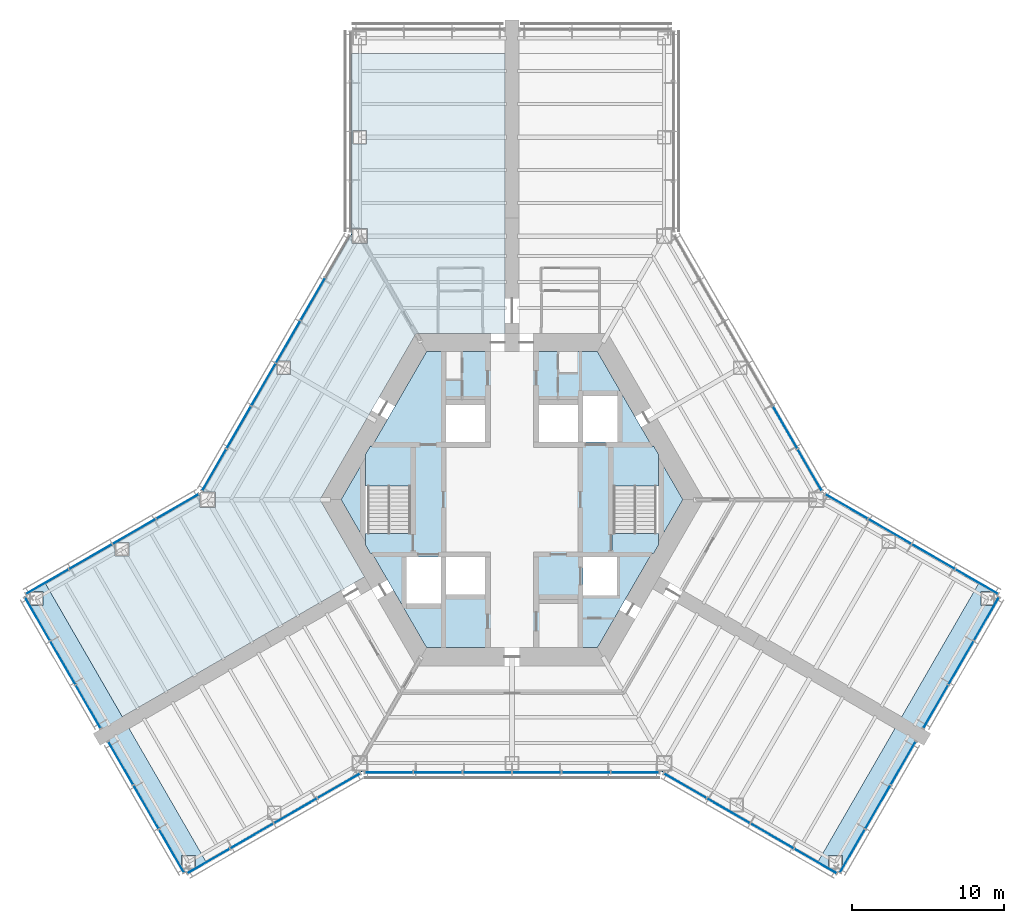
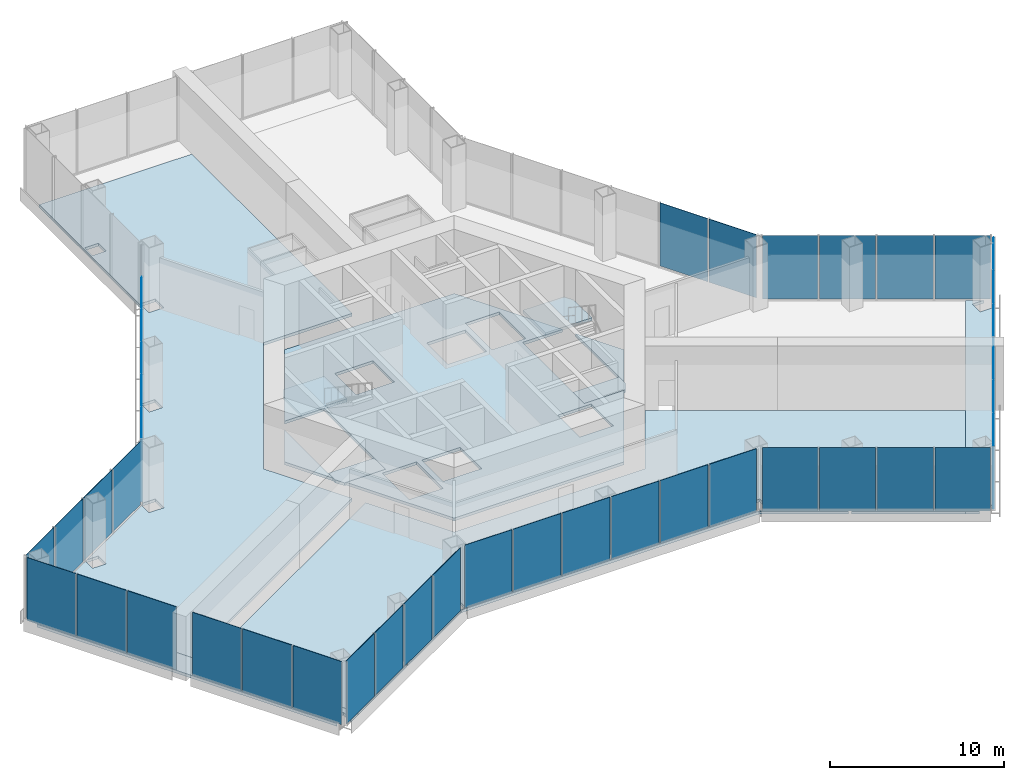
# One storey, part 7 of 13: 41 plates, 11 slabs, 13 elements without a shape of their own.
"""IFC4 building model written with IfcOpenShell, lengths in metres."""

from ifc_helpers import new_model, si_unit, direction, frame, origin, origin_2d, place, context, subcontext, project, spatial, polyline, rectangle, outline, extrude, material, layer, layer_set, type_object, element, aggregate, save


model = new_model("IFC4")

# Units and contexts
model_context = context("Model", 3, precision=1e-05, world=origin(), true_north=direction((0.0, 1.0)))
body_context = subcontext(model_context, "Body", "Model", "MODEL_VIEW")
ifc_project = project(units=[si_unit("LENGTHUNIT", "METRE"), si_unit("AREAUNIT", "SQUARE_METRE"), si_unit("VOLUMEUNIT", "CUBIC_METRE"), si_unit("PLANEANGLEUNIT", "RADIAN"), si_unit("MASSUNIT", "GRAM", prefix="KILO")], contexts=[model_context])

# Site, building, storey
site_placement = place(None, origin())
site = spatial("IfcSite", under=ifc_project, at=site_placement, CompositionType="ELEMENT")
building_placement = place(site_placement, origin())
building = spatial("IfcBuilding", under=site, at=building_placement, Name="Kasaneha Research Tower", CompositionType="ELEMENT")
storey_placement = place(building_placement, frame((0.0, 0.0, 5.5)))
storey = spatial("IfcBuildingStorey", under=building, at=storey_placement, Name="L02", CompositionType="ELEMENT", Elevation=5.5)

# Curtain wall, plates
ifc_material_1 = material(Name="Glass and aluminium", Category="aluminium")
curtain_wall_type = type_object("IfcCurtainWallType", Name="Entrance hall curtain wall", PredefinedType="USERDEFINED", material=ifc_material_1)
curtain_wall_1_placement = place(storey_placement, origin())
curtain_wall_1 = element("IfcCurtainWall", 1, at=curtain_wall_1_placement, inside=storey, type_object=curtain_wall_type, Name="CW-H L02 run 01a", ObjectType="UNITISED CURTAIN WALL", PredefinedType="USERDEFINED")
ifc_material_2 = material(Name="Laminated double glazing", Category="glass")
ifc_layer_1 = layer(ifc_material_2, 0.031982421875)
ifc_layer_set_1 = layer_set([ifc_layer_1], Name="CW-H glazed panel")
plate_type = type_object("IfcPlateType", Name="CW-H glazed panel", PredefinedType="CURTAIN_PANEL", material=ifc_layer_set_1)
plate_1_placement = place(storey_placement, frame((-19.94091796875, -23.752685546875, 0.080078125), z_axis=(0.0, 0.0, 1.0), x_axis=(0.866025411464, 0.499999986699, 0.0)))
plate_1 = element("IfcPlate", 2, at=plate_1_placement, type_object=plate_type, Name="CW-H panel 1", PredefinedType="CURTAIN_PANEL", context=body_context, shape_type="SweptSolid", body=[
    extrude(rectangle(XDim=3.189697265625, YDim=0.031982421875, at=origin_2d()), origin(), (0.0, 0.0, 1.0), 4.419921875),
])
plate_2_placement = place(storey_placement, frame((-17.091796875, -22.107666015625, 0.080078125), z_axis=(0.0, 0.0, 1.0), x_axis=(0.866025411464, 0.499999986699, 0.0)))
plate_2 = element("IfcPlate", 3, at=plate_2_placement, type_object=plate_type, Name="CW-H panel 2", PredefinedType="CURTAIN_PANEL", context=body_context, shape_type="SweptSolid", body=[
    extrude(rectangle(XDim=3.229736328125, YDim=0.031982421875, at=origin_2d()), origin(), (0.0, 0.0, 1.0), 4.419921875),
])
plate_3_placement = place(storey_placement, frame((-14.225341796875, -20.452880859375, 0.080078125), z_axis=(0.0, 0.0, 1.0), x_axis=(0.866025411464, 0.499999986699, 0.0)))
plate_3 = element("IfcPlate", 4, at=plate_3_placement, type_object=plate_type, Name="CW-H panel 3", PredefinedType="CURTAIN_PANEL", context=body_context, shape_type="SweptSolid", body=[
    extrude(rectangle(XDim=3.229736328125, YDim=0.031982421875, at=origin_2d()), origin(), (0.0, 0.0, 1.0), 4.419921875),
])
plate_4_placement = place(storey_placement, frame((-11.376220703125, -18.807861328125, 0.080078125), z_axis=(0.0, 0.0, 1.0), x_axis=(0.866025411464, 0.499999986699, 0.0)))
plate_4 = element("IfcPlate", 5, at=plate_4_placement, type_object=plate_type, Name="CW-H panel 4", PredefinedType="CURTAIN_PANEL", context=body_context, shape_type="SweptSolid", body=[
    extrude(rectangle(XDim=3.189697265625, YDim=0.031982421875, at=origin_2d()), origin(), (0.0, 0.0, 1.0), 4.419921875),
])
aggregate(curtain_wall_1, [plate_1, plate_2, plate_3, plate_4])

curtain_wall_2_placement = place(storey_placement, origin())
curtain_wall_2 = element("IfcCurtainWall", 6, at=curtain_wall_2_placement, inside=storey, type_object=curtain_wall_type, Name="CW-H L02 run 02a", ObjectType="UNITISED CURTAIN WALL", PredefinedType="USERDEFINED")
plate_5_placement = place(storey_placement, frame((-8.095947265625, -17.92041015625, 0.080078125), z_axis=(0.0, 0.0, 1.0), x_axis=(1.0, 0.0, 0.0)))
plate_5 = element("IfcPlate", 7, at=plate_5_placement, type_object=plate_type, Name="CW-H panel 1", PredefinedType="CURTAIN_PANEL", context=body_context, shape_type="SweptSolid", body=[
    extrude(rectangle(XDim=3.12646484375, YDim=0.031982421875, at=origin_2d()), origin(), (0.0, 0.0, 1.0), 4.419921875),
])
plate_6_placement = place(storey_placement, frame((-4.86962890625, -17.92041015625, 0.080078125), z_axis=(0.0, 0.0, 1.0), x_axis=(1.0, 0.0, 0.0)))
plate_6 = element("IfcPlate", 8, at=plate_6_placement, type_object=plate_type, Name="CW-H panel 2", PredefinedType="CURTAIN_PANEL", context=body_context, shape_type="SweptSolid", body=[
    extrude(rectangle(XDim=3.16650390625, YDim=0.031982421875, at=origin_2d()), origin(), (0.0, 0.0, 1.0), 4.419921875),
])
plate_7_placement = place(storey_placement, frame((-1.623291015625, -17.92041015625, 0.080078125), z_axis=(0.0, 0.0, 1.0), x_axis=(1.0, 0.0, 0.0)))
plate_7 = element("IfcPlate", 9, at=plate_7_placement, type_object=plate_type, Name="CW-H panel 3", PredefinedType="CURTAIN_PANEL", context=body_context, shape_type="SweptSolid", body=[
    extrude(rectangle(XDim=3.16650390625, YDim=0.031982421875, at=origin_2d()), origin(), (0.0, 0.0, 1.0), 4.419921875),
])
plate_8_placement = place(storey_placement, frame((1.623291015625, -17.92041015625, 0.080078125), z_axis=(0.0, 0.0, 1.0), x_axis=(1.0, 0.0, 0.0)))
plate_8 = element("IfcPlate", 10, at=plate_8_placement, type_object=plate_type, Name="CW-H panel 4", PredefinedType="CURTAIN_PANEL", context=body_context, shape_type="SweptSolid", body=[
    extrude(rectangle(XDim=3.16650390625, YDim=0.031982421875, at=origin_2d()), origin(), (0.0, 0.0, 1.0), 4.419921875),
])
plate_9_placement = place(storey_placement, frame((4.86962890625, -17.92041015625, 0.080078125), z_axis=(0.0, 0.0, 1.0), x_axis=(1.0, 0.0, 0.0)))
plate_9 = element("IfcPlate", 11, at=plate_9_placement, type_object=plate_type, Name="CW-H panel 5", PredefinedType="CURTAIN_PANEL", context=body_context, shape_type="SweptSolid", body=[
    extrude(rectangle(XDim=3.16650390625, YDim=0.031982421875, at=origin_2d()), origin(), (0.0, 0.0, 1.0), 4.419921875),
])
plate_10_placement = place(storey_placement, frame((8.095947265625, -17.92041015625, 0.080078125), z_axis=(0.0, 0.0, 1.0), x_axis=(1.0, 0.0, 0.0)))
plate_10 = element("IfcPlate", 12, at=plate_10_placement, type_object=plate_type, Name="CW-H panel 6", PredefinedType="CURTAIN_PANEL", context=body_context, shape_type="SweptSolid", body=[
    extrude(rectangle(XDim=3.12646484375, YDim=0.031982421875, at=origin_2d()), origin(), (0.0, 0.0, 1.0), 4.419921875),
])
aggregate(curtain_wall_2, [plate_5, plate_6, plate_7, plate_8, plate_9, plate_10])

curtain_wall_3_placement = place(storey_placement, origin())
curtain_wall_3 = element("IfcCurtainWall", 13, at=curtain_wall_3_placement, inside=storey, type_object=curtain_wall_type, Name="CW-H L02 run 03a", ObjectType="UNITISED CURTAIN WALL", PredefinedType="USERDEFINED")
plate_11_placement = place(storey_placement, frame((11.376220703125, -18.807861328125, 0.080078125), z_axis=(0.0, 0.0, 1.0), x_axis=(0.866025411464, -0.499999986699, 0.0)))
plate_11 = element("IfcPlate", 14, at=plate_11_placement, type_object=plate_type, Name="CW-H panel 1", PredefinedType="CURTAIN_PANEL", context=body_context, shape_type="SweptSolid", body=[
    extrude(rectangle(XDim=3.189697265625, YDim=0.031982421875, at=origin_2d()), origin(), (0.0, 0.0, 1.0), 4.419921875),
])
plate_12_placement = place(storey_placement, frame((14.225341796875, -20.452880859375, 0.080078125), z_axis=(0.0, 0.0, 1.0), x_axis=(0.866025411464, -0.499999986699, 0.0)))
plate_12 = element("IfcPlate", 15, at=plate_12_placement, type_object=plate_type, Name="CW-H panel 2", PredefinedType="CURTAIN_PANEL", context=body_context, shape_type="SweptSolid", body=[
    extrude(rectangle(XDim=3.229736328125, YDim=0.031982421875, at=origin_2d()), origin(), (0.0, 0.0, 1.0), 4.419921875),
])
plate_13_placement = place(storey_placement, frame((17.091796875, -22.107666015625, 0.080078125), z_axis=(0.0, 0.0, 1.0), x_axis=(0.866025411464, -0.499999986699, 0.0)))
plate_13 = element("IfcPlate", 16, at=plate_13_placement, type_object=plate_type, Name="CW-H panel 3", PredefinedType="CURTAIN_PANEL", context=body_context, shape_type="SweptSolid", body=[
    extrude(rectangle(XDim=3.229736328125, YDim=0.031982421875, at=origin_2d()), origin(), (0.0, 0.0, 1.0), 4.419921875),
])
plate_14_placement = place(storey_placement, frame((19.94091796875, -23.752685546875, 0.080078125), z_axis=(0.0, 0.0, 1.0), x_axis=(0.866025411464, -0.499999986699, 0.0)))
plate_14 = element("IfcPlate", 17, at=plate_14_placement, type_object=plate_type, Name="CW-H panel 4", PredefinedType="CURTAIN_PANEL", context=body_context, shape_type="SweptSolid", body=[
    extrude(rectangle(XDim=3.189697265625, YDim=0.031982421875, at=origin_2d()), origin(), (0.0, 0.0, 1.0), 4.419921875),
])
aggregate(curtain_wall_3, [plate_11, plate_12, plate_13, plate_14])

curtain_wall_4_placement = place(storey_placement, origin())
curtain_wall_4 = element("IfcCurtainWall", 18, at=curtain_wall_4_placement, inside=storey, type_object=curtain_wall_type, Name="CW-H L02 run 04a", ObjectType="UNITISED CURTAIN WALL", PredefinedType="USERDEFINED")
plate_15_placement = place(storey_placement, frame((22.37548828125, -23.085693359375, 0.080078125), z_axis=(0.0, 0.0, 1.0), x_axis=(0.500000011442, 0.866025397178, 0.0)))
plate_15 = element("IfcPlate", 19, at=plate_15_placement, type_object=plate_type, Name="CW-H panel 1", PredefinedType="CURTAIN_PANEL", context=body_context, shape_type="SweptSolid", body=[
    extrude(rectangle(XDim=3.22998046875, YDim=0.031982421875, at=origin_2d()), origin(), (0.0, 0.0, 1.0), 4.419921875),
])
plate_16_placement = place(storey_placement, frame((24.04052734375, -20.20166015625, 0.080078125), z_axis=(0.0, 0.0, 1.0), x_axis=(0.500000011442, 0.866025397178, 0.0)))
plate_16 = element("IfcPlate", 20, at=plate_16_placement, type_object=plate_type, Name="CW-H panel 2", PredefinedType="CURTAIN_PANEL", context=body_context, shape_type="SweptSolid", body=[
    extrude(rectangle(XDim=3.27001953125, YDim=0.031982421875, at=origin_2d()), origin(), (0.0, 0.0, 1.0), 4.419921875),
])
plate_17_placement = place(storey_placement, frame((25.70556640625, -17.31787109375, 0.080078125), z_axis=(0.0, 0.0, 1.0), x_axis=(0.500000011442, 0.866025397178, 0.0)))
plate_17 = element("IfcPlate", 21, at=plate_17_placement, type_object=plate_type, Name="CW-H panel 3", PredefinedType="CURTAIN_PANEL", context=body_context, shape_type="SweptSolid", body=[
    extrude(rectangle(XDim=3.22998046875, YDim=0.031982421875, at=origin_2d()), origin(), (0.0, 0.0, 1.0), 4.419921875),
])
aggregate(curtain_wall_4, [plate_15, plate_16, plate_17])

curtain_wall_5_placement = place(storey_placement, origin())
curtain_wall_5 = element("IfcCurtainWall", 22, at=curtain_wall_5_placement, inside=storey, type_object=curtain_wall_type, Name="CW-H L02 run 05a", ObjectType="UNITISED CURTAIN WALL", PredefinedType="USERDEFINED")
plate_18_placement = place(storey_placement, frame((27.850341796875, -13.6025390625, 0.080078125), z_axis=(0.0, 0.0, 1.0), x_axis=(0.500000011442, 0.866025397178, 0.0)))
plate_18 = element("IfcPlate", 23, at=plate_18_placement, type_object=plate_type, Name="CW-H panel 1", PredefinedType="CURTAIN_PANEL", context=body_context, shape_type="SweptSolid", body=[
    extrude(rectangle(XDim=3.22998046875, YDim=0.031982421875, at=origin_2d()), origin(), (0.0, 0.0, 1.0), 4.419921875),
])
plate_19_placement = place(storey_placement, frame((29.515380859375, -10.71875, 0.080078125), z_axis=(0.0, 0.0, 1.0), x_axis=(0.500000011442, 0.866025397178, 0.0)))
plate_19 = element("IfcPlate", 24, at=plate_19_placement, type_object=plate_type, Name="CW-H panel 2", PredefinedType="CURTAIN_PANEL", context=body_context, shape_type="SweptSolid", body=[
    extrude(rectangle(XDim=3.27001953125, YDim=0.031982421875, at=origin_2d()), origin(), (0.0, 0.0, 1.0), 4.419921875),
])
plate_20_placement = place(storey_placement, frame((31.180419921875, -7.8349609375, 0.080078125), z_axis=(0.0, 0.0, 1.0), x_axis=(0.500000011442, 0.866025397178, 0.0)))
plate_20 = element("IfcPlate", 25, at=plate_20_placement, type_object=plate_type, Name="CW-H panel 3", PredefinedType="CURTAIN_PANEL", context=body_context, shape_type="SweptSolid", body=[
    extrude(rectangle(XDim=3.22998046875, YDim=0.031982421875, at=origin_2d()), origin(), (0.0, 0.0, 1.0), 4.419921875),
])
aggregate(curtain_wall_5, [plate_18, plate_19, plate_20])

curtain_wall_6_placement = place(storey_placement, origin())
curtain_wall_6 = element("IfcCurtainWall", 26, at=curtain_wall_6_placement, inside=storey, type_object=curtain_wall_type, Name="CW-H L02 run 06a", ObjectType="UNITISED CURTAIN WALL", PredefinedType="USERDEFINED")
plate_21_placement = place(storey_placement, frame((30.540771484375, -5.392822265625, 0.080078125), z_axis=(0.0, 0.0, 1.0), x_axis=(-0.866025411464, 0.499999986699, 0.0)))
plate_21 = element("IfcPlate", 27, at=plate_21_placement, type_object=plate_type, Name="CW-H panel 1", PredefinedType="CURTAIN_PANEL", context=body_context, shape_type="SweptSolid", body=[
    extrude(rectangle(XDim=3.189697265625, YDim=0.031982421875, at=origin_2d()), origin(), (0.0, 0.0, 1.0), 4.419921875),
])
plate_22_placement = place(storey_placement, frame((27.69189453125, -3.748046875, 0.080078125), z_axis=(0.0, 0.0, 1.0), x_axis=(-0.866025411464, 0.499999986699, 0.0)))
plate_22 = element("IfcPlate", 28, at=plate_22_placement, type_object=plate_type, Name="CW-H panel 2", PredefinedType="CURTAIN_PANEL", context=body_context, shape_type="SweptSolid", body=[
    extrude(rectangle(XDim=3.229736328125, YDim=0.031982421875, at=origin_2d()), origin(), (0.0, 0.0, 1.0), 4.419921875),
])
plate_23_placement = place(storey_placement, frame((24.825439453125, -2.093017578125, 0.080078125), z_axis=(0.0, 0.0, 1.0), x_axis=(-0.866025411464, 0.499999986699, 0.0)))
plate_23 = element("IfcPlate", 29, at=plate_23_placement, type_object=plate_type, Name="CW-H panel 3", PredefinedType="CURTAIN_PANEL", context=body_context, shape_type="SweptSolid", body=[
    extrude(rectangle(XDim=3.229736328125, YDim=0.031982421875, at=origin_2d()), origin(), (0.0, 0.0, 1.0), 4.419921875),
])
plate_24_placement = place(storey_placement, frame((21.976318359375, -0.4482421875, 0.080078125), z_axis=(0.0, 0.0, 1.0), x_axis=(-0.866025411464, 0.499999986699, 0.0)))
plate_24 = element("IfcPlate", 30, at=plate_24_placement, type_object=plate_type, Name="CW-H panel 4", PredefinedType="CURTAIN_PANEL", context=body_context, shape_type="SweptSolid", body=[
    extrude(rectangle(XDim=3.189697265625, YDim=0.031982421875, at=origin_2d()), origin(), (0.0, 0.0, 1.0), 4.419921875),
])
aggregate(curtain_wall_6, [plate_21, plate_22, plate_23, plate_24])

curtain_wall_7_placement = place(storey_placement, origin())
curtain_wall_7 = element("IfcCurtainWall", 31, at=curtain_wall_7_placement, inside=storey, type_object=curtain_wall_type, Name="CW-H L02 run 07a", ObjectType="UNITISED CURTAIN WALL", PredefinedType="USERDEFINED")
plate_25_placement = place(storey_placement, frame((19.567626953125, 1.948974609375, 0.080078125), z_axis=(0.0, 0.0, 1.0), x_axis=(-0.49999996188, 0.866025425793, 0.0)))
plate_25 = element("IfcPlate", 32, at=plate_25_placement, type_object=plate_type, Name="CW-H panel 1", PredefinedType="CURTAIN_PANEL", context=body_context, shape_type="SweptSolid", body=[
    extrude(rectangle(XDim=3.12646484375, YDim=0.031982421875, at=origin_2d()), origin(), (0.0, 0.0, 1.0), 4.419921875),
])
plate_26_placement = place(storey_placement, frame((17.954345703125, 4.7431640625, 0.080078125), z_axis=(0.0, 0.0, 1.0), x_axis=(-0.49999996188, 0.866025425793, 0.0)))
plate_26 = element("IfcPlate", 33, at=plate_26_placement, type_object=plate_type, Name="CW-H panel 2", PredefinedType="CURTAIN_PANEL", context=body_context, shape_type="SweptSolid", body=[
    extrude(rectangle(XDim=3.16650390625, YDim=0.031982421875, at=origin_2d()), origin(), (0.0, 0.0, 1.0), 4.419921875),
])
aggregate(curtain_wall_7, [plate_25, plate_26])

curtain_wall_8_placement = place(storey_placement, origin())
curtain_wall_8 = element("IfcCurtainWall", 34, at=curtain_wall_8_placement, inside=storey, type_object=curtain_wall_type, Name="CW-H L02 run 12a", ObjectType="UNITISED CURTAIN WALL", PredefinedType="USERDEFINED")
plate_27_placement = place(storey_placement, frame((-13.084716796875, 13.177490234375, 0.080078125), z_axis=(0.0, 0.0, 1.0), x_axis=(-0.49999996188, -0.866025425793, 0.0)))
plate_27 = element("IfcPlate", 35, at=plate_27_placement, type_object=plate_type, Name="CW-H panel 2", PredefinedType="CURTAIN_PANEL", context=body_context, shape_type="SweptSolid", body=[
    extrude(rectangle(XDim=3.16650390625, YDim=0.031982421875, at=origin_2d()), origin(), (0.0, 0.0, 1.0), 4.419921875),
])
plate_28_placement = place(storey_placement, frame((-14.7080078125, 10.365966796875, 0.080078125), z_axis=(0.0, 0.0, 1.0), x_axis=(-0.49999996188, -0.866025425793, 0.0)))
plate_28 = element("IfcPlate", 36, at=plate_28_placement, type_object=plate_type, Name="CW-H panel 3", PredefinedType="CURTAIN_PANEL", context=body_context, shape_type="SweptSolid", body=[
    extrude(rectangle(XDim=3.16650390625, YDim=0.031982421875, at=origin_2d()), origin(), (0.0, 0.0, 1.0), 4.419921875),
])
plate_29_placement = place(storey_placement, frame((-16.331298828125, 7.554443359375, 0.080078125), z_axis=(0.0, 0.0, 1.0), x_axis=(-0.49999996188, -0.866025425793, 0.0)))
plate_29 = element("IfcPlate", 37, at=plate_29_placement, type_object=plate_type, Name="CW-H panel 4", PredefinedType="CURTAIN_PANEL", context=body_context, shape_type="SweptSolid", body=[
    extrude(rectangle(XDim=3.16650390625, YDim=0.031982421875, at=origin_2d()), origin(), (0.0, 0.0, 1.0), 4.419921875),
])
plate_30_placement = place(storey_placement, frame((-17.954345703125, 4.7431640625, 0.080078125), z_axis=(0.0, 0.0, 1.0), x_axis=(-0.49999996188, -0.866025425793, 0.0)))
plate_30 = element("IfcPlate", 38, at=plate_30_placement, type_object=plate_type, Name="CW-H panel 5", PredefinedType="CURTAIN_PANEL", context=body_context, shape_type="SweptSolid", body=[
    extrude(rectangle(XDim=3.16650390625, YDim=0.031982421875, at=origin_2d()), origin(), (0.0, 0.0, 1.0), 4.419921875),
])
plate_31_placement = place(storey_placement, frame((-19.567626953125, 1.948974609375, 0.080078125), z_axis=(0.0, 0.0, 1.0), x_axis=(-0.49999996188, -0.866025425793, 0.0)))
plate_31 = element("IfcPlate", 39, at=plate_31_placement, type_object=plate_type, Name="CW-H panel 6", PredefinedType="CURTAIN_PANEL", context=body_context, shape_type="SweptSolid", body=[
    extrude(rectangle(XDim=3.12646484375, YDim=0.031982421875, at=origin_2d()), origin(), (0.0, 0.0, 1.0), 4.419921875),
])
aggregate(curtain_wall_8, [plate_27, plate_28, plate_29, plate_30, plate_31])

curtain_wall_9_placement = place(storey_placement, origin())
curtain_wall_9 = element("IfcCurtainWall", 40, at=curtain_wall_9_placement, inside=storey, type_object=curtain_wall_type, Name="CW-H L02 run 13a", ObjectType="UNITISED CURTAIN WALL", PredefinedType="USERDEFINED")
plate_32_placement = place(storey_placement, frame((-21.976318359375, -0.4482421875, 0.080078125), z_axis=(0.0, 0.0, 1.0), x_axis=(-0.866025411464, -0.499999986699, 0.0)))
plate_32 = element("IfcPlate", 41, at=plate_32_placement, type_object=plate_type, Name="CW-H panel 1", PredefinedType="CURTAIN_PANEL", context=body_context, shape_type="SweptSolid", body=[
    extrude(rectangle(XDim=3.189697265625, YDim=0.031982421875, at=origin_2d()), origin(), (0.0, 0.0, 1.0), 4.419921875),
])
plate_33_placement = place(storey_placement, frame((-24.825439453125, -2.093017578125, 0.080078125), z_axis=(0.0, 0.0, 1.0), x_axis=(-0.866025411464, -0.499999986699, 0.0)))
plate_33 = element("IfcPlate", 42, at=plate_33_placement, type_object=plate_type, Name="CW-H panel 2", PredefinedType="CURTAIN_PANEL", context=body_context, shape_type="SweptSolid", body=[
    extrude(rectangle(XDim=3.229736328125, YDim=0.031982421875, at=origin_2d()), origin(), (0.0, 0.0, 1.0), 4.419921875),
])
plate_34_placement = place(storey_placement, frame((-27.69189453125, -3.748046875, 0.080078125), z_axis=(0.0, 0.0, 1.0), x_axis=(-0.866025411464, -0.499999986699, 0.0)))
plate_34 = element("IfcPlate", 43, at=plate_34_placement, type_object=plate_type, Name="CW-H panel 3", PredefinedType="CURTAIN_PANEL", context=body_context, shape_type="SweptSolid", body=[
    extrude(rectangle(XDim=3.229736328125, YDim=0.031982421875, at=origin_2d()), origin(), (0.0, 0.0, 1.0), 4.419921875),
])
plate_35_placement = place(storey_placement, frame((-30.540771484375, -5.392822265625, 0.080078125), z_axis=(0.0, 0.0, 1.0), x_axis=(-0.866025411464, -0.499999986699, 0.0)))
plate_35 = element("IfcPlate", 44, at=plate_35_placement, type_object=plate_type, Name="CW-H panel 4", PredefinedType="CURTAIN_PANEL", context=body_context, shape_type="SweptSolid", body=[
    extrude(rectangle(XDim=3.189697265625, YDim=0.031982421875, at=origin_2d()), origin(), (0.0, 0.0, 1.0), 4.419921875),
])
aggregate(curtain_wall_9, [plate_32, plate_33, plate_34, plate_35])

curtain_wall_10_placement = place(storey_placement, origin())
curtain_wall_10 = element("IfcCurtainWall", 45, at=curtain_wall_10_placement, inside=storey, type_object=curtain_wall_type, Name="CW-H L02 run 14a", ObjectType="UNITISED CURTAIN WALL", PredefinedType="USERDEFINED")
plate_36_placement = place(storey_placement, frame((-31.180419921875, -7.8349609375, 0.080078125), z_axis=(0.0, 0.0, 1.0), x_axis=(0.500000011442, -0.866025397178, 0.0)))
plate_36 = element("IfcPlate", 46, at=plate_36_placement, type_object=plate_type, Name="CW-H panel 1", PredefinedType="CURTAIN_PANEL", context=body_context, shape_type="SweptSolid", body=[
    extrude(rectangle(XDim=3.22998046875, YDim=0.031982421875, at=origin_2d()), origin(), (0.0, 0.0, 1.0), 4.419921875),
])
plate_37_placement = place(storey_placement, frame((-29.515380859375, -10.71875, 0.080078125), z_axis=(0.0, 0.0, 1.0), x_axis=(0.500000011442, -0.866025397178, 0.0)))
plate_37 = element("IfcPlate", 47, at=plate_37_placement, type_object=plate_type, Name="CW-H panel 2", PredefinedType="CURTAIN_PANEL", context=body_context, shape_type="SweptSolid", body=[
    extrude(rectangle(XDim=3.27001953125, YDim=0.031982421875, at=origin_2d()), origin(), (0.0, 0.0, 1.0), 4.419921875),
])
plate_38_placement = place(storey_placement, frame((-27.850341796875, -13.6025390625, 0.080078125), z_axis=(0.0, 0.0, 1.0), x_axis=(0.500000011442, -0.866025397178, 0.0)))
plate_38 = element("IfcPlate", 48, at=plate_38_placement, type_object=plate_type, Name="CW-H panel 3", PredefinedType="CURTAIN_PANEL", context=body_context, shape_type="SweptSolid", body=[
    extrude(rectangle(XDim=3.22998046875, YDim=0.031982421875, at=origin_2d()), origin(), (0.0, 0.0, 1.0), 4.419921875),
])
aggregate(curtain_wall_10, [plate_36, plate_37, plate_38])

curtain_wall_11_placement = place(storey_placement, origin())
curtain_wall_11 = element("IfcCurtainWall", 49, at=curtain_wall_11_placement, inside=storey, type_object=curtain_wall_type, Name="CW-H L02 run 15a", ObjectType="UNITISED CURTAIN WALL", PredefinedType="USERDEFINED")
plate_39_placement = place(storey_placement, frame((-25.70556640625, -17.31787109375, 0.080078125), z_axis=(0.0, 0.0, 1.0), x_axis=(0.500000011442, -0.866025397178, 0.0)))
plate_39 = element("IfcPlate", 50, at=plate_39_placement, type_object=plate_type, Name="CW-H panel 1", PredefinedType="CURTAIN_PANEL", context=body_context, shape_type="SweptSolid", body=[
    extrude(rectangle(XDim=3.22998046875, YDim=0.031982421875, at=origin_2d()), origin(), (0.0, 0.0, 1.0), 4.419921875),
])
plate_40_placement = place(storey_placement, frame((-24.04052734375, -20.20166015625, 0.080078125), z_axis=(0.0, 0.0, 1.0), x_axis=(0.500000011442, -0.866025397178, 0.0)))
plate_40 = element("IfcPlate", 51, at=plate_40_placement, type_object=plate_type, Name="CW-H panel 2", PredefinedType="CURTAIN_PANEL", context=body_context, shape_type="SweptSolid", body=[
    extrude(rectangle(XDim=3.27001953125, YDim=0.031982421875, at=origin_2d()), origin(), (0.0, 0.0, 1.0), 4.419921875),
])
plate_41_placement = place(storey_placement, frame((-22.37548828125, -23.085693359375, 0.080078125), z_axis=(0.0, 0.0, 1.0), x_axis=(0.500000011442, -0.866025397178, 0.0)))
plate_41 = element("IfcPlate", 52, at=plate_41_placement, type_object=plate_type, Name="CW-H panel 3", PredefinedType="CURTAIN_PANEL", context=body_context, shape_type="SweptSolid", body=[
    extrude(rectangle(XDim=3.22998046875, YDim=0.031982421875, at=origin_2d()), origin(), (0.0, 0.0, 1.0), 4.419921875),
])
aggregate(curtain_wall_11, [plate_39, plate_40, plate_41])

# Slabs
ifc_material_3 = material(Name="Concrete Fc24", Category="concrete")
ifc_layer_2 = layer(ifc_material_3, 0.199951171875)
ifc_layer_set_2 = layer_set([ifc_layer_2], Name="Core floor slab 200")
slab_type_1 = type_object("IfcSlabType", Name="Core floor slab 200", PredefinedType="FLOOR", material=ifc_layer_set_2)
slab_1_placement = place(storey_placement, frame((0.0, 0.0, -0.199951171875)))
element("IfcSlab", 53, at=slab_1_placement, inside=storey, type_object=slab_type_1, Name="Core slab L02", PredefinedType="FLOOR", context=body_context, shape_type="SweptSolid", body=[
    extrude(outline(polyline([(-11.2294921875, 0.0), (-9.625, 2.779052734375), (-9.625, -2.779052734375), (-11.2294921875, 0.0)])), origin(), (0.0, 0.0, 1.0), 0.199951171875),
])
slab_2_placement = place(storey_placement, frame((0.0, 0.0, -0.199951171875)))
element("IfcSlab", 54, at=slab_2_placement, inside=storey, type_object=slab_type_1, Name="Core slab L02", PredefinedType="FLOOR", context=body_context, shape_type="SweptSolid", body=[
    extrude(outline(polyline([(-5.61474609375, 9.72509765625), (5.61474609375, 9.72509765625), (9.1943359375, 3.52490234375), (6.574951171875, 3.52490234375), (6.574951171875, -3.52490234375), (9.1943359375, -3.52490234375), (5.61474609375, -9.72509765625), (-5.61474609375, -9.72509765625), (-9.1943359375, -3.52490234375), (-6.574951171875, -3.52490234375), (-6.574951171875, 3.52490234375), (-9.1943359375, 3.52490234375), (-5.61474609375, 9.72509765625)]), holes=[polyline([(-6.925048828125, -3.77490234375), (-6.925048828125, -6.824951171875), (-4.675048828125, -6.824951171875), (-4.675048828125, -3.77490234375), (-6.925048828125, -3.77490234375)]), polyline([(4.675048828125, -3.77490234375), (4.675048828125, -6.300048828125), (6.89990234375, -6.300048828125), (6.89990234375, -3.77490234375), (4.675048828125, -3.77490234375)]), polyline([(-4.324951171875, -3.77490234375), (-4.324951171875, -6.22509765625), (-1.77490234375, -6.22509765625), (-1.77490234375, -3.77490234375), (-4.324951171875, -3.77490234375)]), polyline([(-4.324951171875, 6.22509765625), (-4.324951171875, 3.77490234375), (-1.77490234375, 3.77490234375), (-1.77490234375, 6.22509765625), (-4.324951171875, 6.22509765625)]), polyline([(1.77490234375, 6.22509765625), (1.77490234375, 3.77490234375), (4.324951171875, 3.77490234375), (4.324951171875, 6.22509765625), (1.77490234375, 6.22509765625)]), polyline([(4.675048828125, 6.824951171875), (4.675048828125, 3.77490234375), (6.925048828125, 3.77490234375), (6.925048828125, 6.824951171875), (4.675048828125, 6.824951171875)])]), origin(), (0.0, 0.0, 1.0), 0.199951171875),
])
slab_3_placement = place(storey_placement, frame((0.0, 0.0, -0.199951171875)))
element("IfcSlab", 55, at=slab_3_placement, inside=storey, type_object=slab_type_1, Name="Core slab L02", PredefinedType="FLOOR", context=body_context, shape_type="SweptSolid", body=[
    extrude(outline(polyline([(11.2294921875, 0.0), (9.625, -2.779052734375), (9.625, 2.779052734375), (11.2294921875, 0.0)])), origin(), (0.0, 0.0, 1.0), 0.199951171875),
])
ifc_material_4 = material(Name="Concrete Fc24", Category="concrete")
ifc_layer_3 = layer(ifc_material_4, 0.199951171875)
ifc_layer_set_3 = layer_set([ifc_layer_3], Name="Floor slab 200")
slab_type_2 = type_object("IfcSlabType", Name="Floor slab 200", PredefinedType="FLOOR", material=ifc_layer_set_3)
slab_4_placement = place(storey_placement, frame((0.0, 0.0, -0.199951171875)))
element("IfcSlab", 56, at=slab_4_placement, inside=storey, type_object=slab_type_2, Name="Floor slab L02 1", PredefinedType="FLOOR", context=body_context, shape_type="SweptSolid", body=[
    extrude(outline(polyline([(-25.167236328125, -15.050048828125), (-25.15869140625, -15.044921875), (-20.108642578125, -23.791748046875), (-20.808349609375, -24.19580078125), (-20.808349609375, -23.37060546875), (-21.708251953125, -23.37060546875), (-21.708251953125, -24.14111328125), (-31.633544921875, -6.949951171875), (-30.808349609375, -6.949951171875), (-30.808349609375, -6.050048828125), (-31.578857421875, -6.050048828125), (-30.65869140625, -5.518798828125), (-25.608642578125, -14.265625), (-25.6171875, -14.2705078125), (-25.167236328125, -15.050048828125)])), origin(), (0.0, 0.0, 1.0), 0.199951171875),
])
slab_5_placement = place(storey_placement, frame((0.0, 0.0, -0.199951171875)))
element("IfcSlab", 57, at=slab_5_placement, inside=storey, type_object=slab_type_2, Name="Floor slab L02 2", PredefinedType="FLOOR", context=body_context, shape_type="SweptSolid", body=[
    extrude(outline(polyline([(-25.17919921875, -2.800048828125), (-25.94970703125, -2.800048828125), (-20.5, 0.346435546875), (-20.5, -0.5), (-19.5, -0.5), (-19.5, 0.5), (-20.346435546875, 0.5), (-15.449951171875, 8.980712890625), (-15.449951171875, 8.210205078125), (-14.550048828125, 8.210205078125), (-14.550048828125, 9.1103515625), (-15.375244140625, 9.1103515625), (-10.550048828125, 17.4677734375), (-10.550048828125, 29.310546875), (-0.449951171875, 29.310546875), (-0.449951171875, 10.925048828125), (-6.3076171875, 10.925048828125), (-12.614990234375, 0.0), (-9.686279296875, -5.07275390625), (-25.608642578125, -14.265625), (-30.65869140625, -5.518798828125), (-26.0791015625, -2.874755859375), (-26.0791015625, -3.699951171875), (-25.17919921875, -3.699951171875), (-25.17919921875, -2.800048828125)]), holes=[polyline([(-9.5, 16.820556640625), (-9.5, 17.820556640625), (-10.5, 17.820556640625), (-10.5, 16.820556640625), (-9.5, 16.820556640625)]), polyline([(-10.449951171875, 23.37060546875), (-9.550048828125, 23.37060546875), (-9.550048828125, 24.2705078125), (-10.449951171875, 24.2705078125), (-10.449951171875, 23.37060546875)])]), origin(), (0.0, 0.0, 1.0), 0.199951171875),
])
slab_6_placement = place(storey_placement, frame((0.0, 0.0, -0.199951171875)))
element("IfcSlab", 58, at=slab_6_placement, inside=storey, type_object=slab_type_2, Name="Floor slab L02 4", PredefinedType="FLOOR", context=body_context, shape_type="SweptSolid", body=[
    extrude(outline(polyline([(-6.3076171875, -10.925048828125), (6.3076171875, -10.925048828125), (9.236328125, -5.852294921875), (25.15869140625, -15.044921875), (20.108642578125, -23.791748046875), (14.442626953125, -20.5205078125), (15.213134765625, -20.5205078125), (15.213134765625, -19.62060546875), (14.313232421875, -19.62060546875), (14.313232421875, -20.44580078125), (9.8525390625, -17.87060546875), (-9.8525390625, -17.87060546875), (-15.17919921875, -20.94580078125), (-15.17919921875, -20.12060546875), (-16.0791015625, -20.12060546875), (-16.0791015625, -21.0205078125), (-15.30859375, -21.0205078125), (-20.108642578125, -23.791748046875), (-25.15869140625, -15.044921875), (-9.236328125, -5.852294921875), (-6.3076171875, -10.925048828125)]), holes=[polyline([(-0.449951171875, -17.7705078125), (0.449951171875, -17.7705078125), (0.449951171875, -16.87060546875), (-0.449951171875, -16.87060546875), (-0.449951171875, -17.7705078125)]), polyline([(-9.5, -17.820556640625), (-9.5, -16.820556640625), (-10.5, -16.820556640625), (-10.5, -17.820556640625), (-9.5, -17.820556640625)]), polyline([(10.5, -17.820556640625), (10.5, -16.820556640625), (9.5, -16.820556640625), (9.5, -17.820556640625), (10.5, -17.820556640625)])]), origin(), (0.0, 0.0, 1.0), 0.199951171875),
])
slab_7_placement = place(storey_placement, frame((0.0, 0.0, -0.199951171875)))
element("IfcSlab", 59, at=slab_7_placement, inside=storey, type_object=slab_type_2, Name="Floor slab L02 6", PredefinedType="FLOOR", context=body_context, shape_type="SweptSolid", body=[
    extrude(outline(polyline([(25.167236328125, -15.050048828125), (25.6171875, -14.2705078125), (25.608642578125, -14.265625), (30.65869140625, -5.518798828125), (31.578857421875, -6.050048828125), (30.808349609375, -6.050048828125), (30.808349609375, -6.949951171875), (31.633544921875, -6.949951171875), (21.708251953125, -24.14111328125), (21.708251953125, -23.37060546875), (20.808349609375, -23.37060546875), (20.808349609375, -24.19580078125), (20.108642578125, -23.791748046875), (25.15869140625, -15.044921875), (25.167236328125, -15.050048828125)])), origin(), (0.0, 0.0, 1.0), 0.199951171875),
])

# Stair, slabs
ifc_material_5 = material(Name="Concrete Fc24", Category="concrete")
stair_type = type_object("IfcStairType", Name="Half-turn stair 26 risers", PredefinedType="HALF_TURN_STAIR", material=ifc_material_5)
stair_1_placement = place(storey_placement, origin())
stair_1 = element("IfcStair", 60, at=stair_1_placement, inside=storey, type_object=stair_type, Name="Stair 1 L02", PredefinedType="HALF_TURN_STAIR")
ifc_material_6 = material(Name="Concrete Fc24", Category="concrete")
ifc_layer_4 = layer(ifc_material_6, 0.199951171875)
ifc_layer_set_4 = layer_set([ifc_layer_4], Name="Stair 1 landing 200")
slab_type_3 = type_object("IfcSlabType", Name="Stair 1 landing 200", PredefinedType="LANDING", material=ifc_layer_set_4)
slab_8_placement = place(storey_placement, frame((0.0, 0.0, -0.199951171875)))
slab_8 = element("IfcSlab", 61, at=slab_8_placement, type_object=slab_type_3, Name="ST1-26R landing 1", PredefinedType="LANDING", context=body_context, shape_type="SweptSolid", body=[
    extrude(outline(polyline([(9.309814453125, -3.52490234375), (6.574951171875, -3.52490234375), (6.574951171875, -2.22509765625), (9.625, -2.22509765625), (9.625, -2.97900390625), (9.309814453125, -3.52490234375)])), origin(), (0.0, 0.0, 1.0), 0.199951171875),
])
slab_9_placement = place(storey_placement, frame((0.0, 0.0, 2.050048828125)))
slab_9 = element("IfcSlab", 62, at=slab_9_placement, type_object=slab_type_3, Name="ST1-26R landing 2", PredefinedType="LANDING", context=body_context, shape_type="SweptSolid", body=[
    extrude(outline(polyline([(6.574951171875, 3.52490234375), (9.309814453125, 3.52490234375), (9.625, 2.97900390625), (9.625, 0.89501953125), (6.574951171875, 0.89501953125), (6.574951171875, 3.52490234375)])), origin(), (0.0, 0.0, 1.0), 0.199951171875),
])
aggregate(stair_1, [slab_8, slab_9])

stair_2_placement = place(storey_placement, origin())
stair_2 = element("IfcStair", 63, at=stair_2_placement, inside=storey, type_object=stair_type, Name="Stair 2 L02", PredefinedType="HALF_TURN_STAIR")
ifc_material_7 = material(Name="Concrete Fc24", Category="concrete")
ifc_layer_5 = layer(ifc_material_7, 0.199951171875)
ifc_layer_set_5 = layer_set([ifc_layer_5], Name="Stair 2 landing 200")
slab_type_4 = type_object("IfcSlabType", Name="Stair 2 landing 200", PredefinedType="LANDING", material=ifc_layer_set_5)
slab_10_placement = place(storey_placement, frame((0.0, 0.0, -0.199951171875)))
slab_10 = element("IfcSlab", 64, at=slab_10_placement, type_object=slab_type_4, Name="ST2-26R landing 1", PredefinedType="LANDING", context=body_context, shape_type="SweptSolid", body=[
    extrude(outline(polyline([(-6.574951171875, -3.52490234375), (-9.309814453125, -3.52490234375), (-9.625, -2.97900390625), (-9.625, -2.22509765625), (-6.574951171875, -2.22509765625), (-6.574951171875, -3.52490234375)])), origin(), (0.0, 0.0, 1.0), 0.199951171875),
])
slab_11_placement = place(storey_placement, frame((0.0, 0.0, 2.050048828125)))
slab_11 = element("IfcSlab", 65, at=slab_11_placement, type_object=slab_type_4, Name="ST2-26R landing 2", PredefinedType="LANDING", context=body_context, shape_type="SweptSolid", body=[
    extrude(outline(polyline([(-6.574951171875, 0.89501953125), (-9.625, 0.89501953125), (-9.625, 2.97900390625), (-9.309814453125, 3.52490234375), (-6.574951171875, 3.52490234375), (-6.574951171875, 0.89501953125)])), origin(), (0.0, 0.0, 1.0), 0.199951171875),
])
aggregate(stair_2, [slab_10, slab_11])

save(model, "model.ifc")
